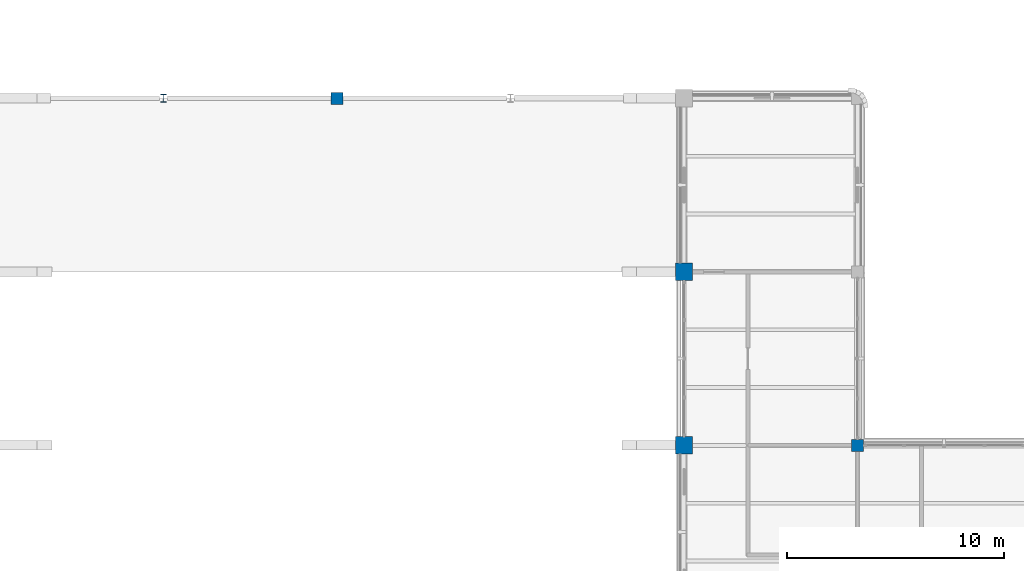
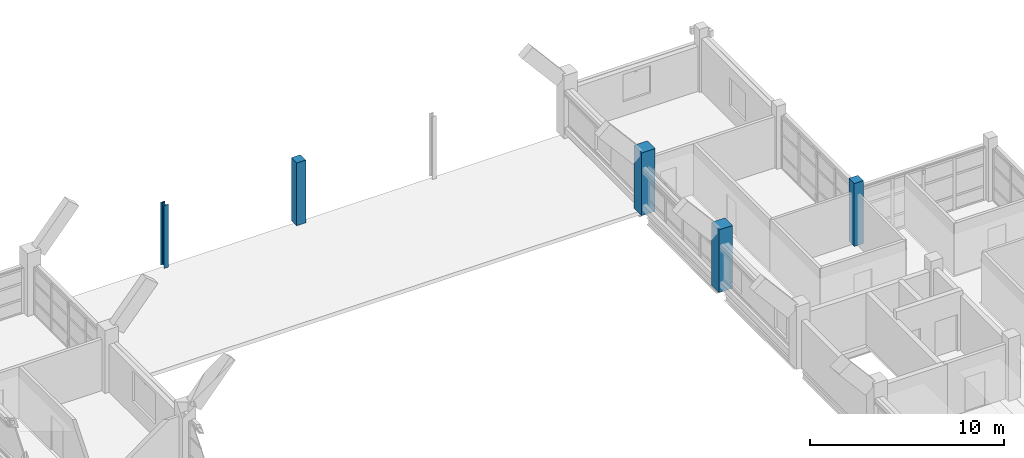
# One storey, part 4 of 92: 5 columns.
"""IFC4 building model written with IfcOpenShell, lengths in metres."""

import ifcopenshell
import ifcopenshell.guid

model = None  # the IFC model being written
_history = None  # IfcOwnerHistory: only IFC2X3 demands one
_inside = {}  # id of a spatial element -> (the spatial element, [elements in it])
_under = {}  # id of a project, library or spatial element -> (it, [spatial elements below it])
_declared = {}  # id of a project -> (the project, [libraries it declares])
_typed = {}  # id of a type object -> (the type object, [elements of that type])
_made_of = {}  # id of a material, layer set ... -> (it, [elements and type objects made of it])


def new_model(schema):
    """Start an empty IFC model of exactly this schema.

    Asked for "IFC4X3", IfcOpenShell would pick the latest addendum, in which some entities
    have other attributes; the version numbers below select the first issue.
    IFC2X3 requires an IfcOwnerHistory on every rooted entity: one is made here for all.
    """
    global model, _history
    if schema == "IFC4X3":
        model = ifcopenshell.file(schema_version=(4, 3, 0, 0))
    else:
        model = ifcopenshell.file(schema=schema)
    _inside.clear()
    _under.clear()
    _declared.clear()
    _typed.clear()
    _made_of.clear()
    _history = None
    if model.schema == "IFC2X3":
        org = make("IfcOrganization", Name="unknown")
        user = make(
            "IfcPersonAndOrganization",
            ThePerson=make("IfcPerson", FamilyName="unknown"),
            TheOrganization=org,
        )
        app = make(
            "IfcApplication",
            ApplicationDeveloper=org,
            Version="unknown",
            ApplicationFullName="unknown",
            ApplicationIdentifier="unknown",
        )
        _history = make(
            "IfcOwnerHistory",
            OwningUser=user,
            OwningApplication=app,
            ChangeAction="ADDED",
            CreationDate=0,
        )
    return model


def make(cls, **values):
    """One entity of the class cls with the attributes given. An attribute that is None is left unset."""
    return model.create_entity(
        cls, **{name: value for name, value in values.items() if value is not None}
    )


def rooted(cls, **values):
    """An entity with a GlobalId (a new one), such as an element, a storey or a relation."""
    return make(cls, GlobalId=ifcopenshell.guid.new(), OwnerHistory=_history, **values)


def si_unit(unit_type, name, prefix=None):
    """IfcSIUnit, for example si_unit("LENGTHUNIT", "METRE", prefix="MILLI")."""
    return make("IfcSIUnit", UnitType=unit_type, Prefix=prefix, Name=name)


def derived_unit(unit_type, elements):
    """IfcDerivedUnit: a product of units, each with its exponent."""
    return make(
        "IfcDerivedUnit",
        Elements=[
            make("IfcDerivedUnitElement", Unit=unit, Exponent=power)
            for unit, power in elements
        ],
        UnitType=unit_type,
    )


def assignment(units):
    """IfcUnitAssignment: the units of a project."""
    return None if units is None else make("IfcUnitAssignment", Units=units)


def point(xyz):
    """IfcCartesianPoint."""
    return None if xyz is None else make("IfcCartesianPoint", Coordinates=xyz)


def direction(xyz):
    """IfcDirection."""
    return None if xyz is None else make("IfcDirection", DirectionRatios=xyz)


def frame(location, z_axis=None, x_axis=None):
    """IfcAxis2Placement3D, a coordinate frame: its origin and axes. An axis left out is left unset."""
    return make(
        "IfcAxis2Placement3D",
        Location=point(location),
        Axis=direction(z_axis),
        RefDirection=direction(x_axis),
    )


def frame_2d(location, x_axis=None):
    """IfcAxis2Placement2D, a coordinate frame in the plane: its origin and x axis."""
    return make(
        "IfcAxis2Placement2D", Location=point(location), RefDirection=direction(x_axis)
    )


def origin():
    """The frame at (0, 0, 0) with its axes left unset."""
    return frame((0.0, 0.0, 0.0))


def origin_2d():
    """The frame at (0, 0) in the plane with its x axis left unset."""
    return frame_2d((0.0, 0.0))


def place(relative_to, where):
    """IfcLocalPlacement: puts the frame where relative to a parent placement (None: the world)."""
    return make(
        "IfcLocalPlacement", PlacementRelTo=relative_to, RelativePlacement=where
    )


def context(
    kind, dimensions, precision=None, world=None, true_north=None, identifier=None
):
    """IfcGeometricRepresentationContext, for example the 3D "Model" context."""
    return make(
        "IfcGeometricRepresentationContext",
        ContextIdentifier=identifier,
        ContextType=kind,
        CoordinateSpaceDimension=dimensions,
        Precision=precision,
        WorldCoordinateSystem=world,
        TrueNorth=true_north,
    )


def subcontext(parent, identifier, kind, view, scale=None):
    """IfcGeometricRepresentationSubContext, for example "Body" below "Model"."""
    return make(
        "IfcGeometricRepresentationSubContext",
        ContextIdentifier=identifier,
        ContextType=kind,
        ParentContext=parent,
        TargetScale=scale,
        TargetView=view,
    )


def project(units=None, contexts=None):
    """IfcProject with its units and contexts."""
    return rooted(
        "IfcProject",
        Name="project",
        RepresentationContexts=contexts,
        UnitsInContext=assignment(units),
    )


def spatial(cls, under=None, at=None, **own):
    """A site, building, storey or space (cls), placed at a placement, below another one or the project."""
    s = rooted(cls, ObjectPlacement=at, **own)
    if under is not None:
        _under.setdefault(under.id(), (under, []))[1].append(s)
    return s


def profile(cls, at=None, kind="AREA", **sizes):
    """A parametric profile (cls). Its sizes go by their IFC names, for example OverallWidth=200.0."""
    return make(cls, ProfileType=kind, Position=at, **sizes)


def rectangle(**sizes):
    """IfcRectangleProfileDef."""
    return profile("IfcRectangleProfileDef", **sizes)


def i_section(**sizes):
    """IfcIShapeProfileDef."""
    return profile("IfcIShapeProfileDef", **sizes)


def extrude(swept, where, along, depth):
    """IfcExtrudedAreaSolid: the profile swept, set in the frame where, extruded along a direction by depth."""
    return make(
        "IfcExtrudedAreaSolid",
        SweptArea=swept,
        Position=where,
        ExtrudedDirection=direction(along),
        Depth=depth,
    )


def shape(context_of_items, identifier, shape_type, items):
    """IfcShapeRepresentation: the items that make up one representation, for example the "Body"."""
    return make(
        "IfcShapeRepresentation",
        ContextOfItems=context_of_items,
        RepresentationIdentifier=identifier,
        RepresentationType=shape_type,
        Items=items,
    )


def material(Name=None, Category=None):
    """IfcMaterial."""
    return make("IfcMaterial", Name=Name, Category=Category)


def material_profile(
    of_material, cross_section, Name=None, Category=None, Priority=None
):
    """IfcMaterialProfile: a cross section and its material."""
    return make(
        "IfcMaterialProfile",
        Name=Name,
        Material=of_material,
        Profile=cross_section,
        Priority=Priority,
        Category=Category,
    )


def profile_set(profiles, Name=None, composite=None):
    """IfcMaterialProfileSet."""
    return make(
        "IfcMaterialProfileSet",
        Name=Name,
        MaterialProfiles=profiles,
        CompositeProfile=composite,
    )


def made_of(thing, what):
    """Note that an element or type object is made of a material, layer set ...; save() writes the relation."""
    if what is not None:
        _made_of.setdefault(what.id(), (what, []))[1].append(thing)
    return thing


def type_object(cls, material=None, **own):
    """A type object (cls), such as IfcWallType, which elements share."""
    return made_of(rooted(cls, **own), material)


def element(
    cls,
    number,
    at=None,
    inside=None,
    cuts=None,
    type_object=None,
    material=None,
    context=None,
    identifier="Body",
    shape_type=None,
    held_by="IfcProductDefinitionShape",
    body=None,
    shapes=None,
    **own,
):
    """One element of the class cls, such as IfcWall. Its Tag is "e" and its number.

    at: its placement. inside: the storey or other place that contains it. cuts: it is an
    opening in that element (IfcRelVoidsElement). A single representation is given by context,
    identifier, shape_type and body (its items); several are given by shapes. held_by: the class
    of the entity that holds the representations. save() writes the other relations.
    """
    e = rooted(cls, Tag="e%d" % number, ObjectPlacement=at, **own)
    if body is not None:
        shapes = [shape(context, identifier, shape_type, body)]
    if shapes is not None:
        e.Representation = make(held_by, Representations=shapes)
    if inside is not None:
        _inside.setdefault(inside.id(), (inside, []))[1].append(e)
    if cuts is not None:
        rooted(
            "IfcRelVoidsElement", RelatingBuildingElement=cuts, RelatedOpeningElement=e
        )
    if type_object is not None:
        _typed.setdefault(type_object.id(), (type_object, []))[1].append(e)
    return made_of(e, material)


def aggregate(whole, parts):
    """IfcRelAggregates: a whole, such as a stair, and the parts it consists of."""
    return rooted("IfcRelAggregates", RelatingObject=whole, RelatedObjects=parts)


def save(model, path):
    """Write the relations noted so far, then the file.

    IfcRelAggregates (storeys below a building ...), IfcRelContainedInSpatialStructure (elements
    in a storey), IfcRelDefinesByType, IfcRelAssociatesMaterial and IfcRelDeclares: one each for
    every whole, place, type object, material and project.
    """
    for whole, parts in _under.values():
        aggregate(whole, parts)
    for where, things in _inside.values():
        rooted(
            "IfcRelContainedInSpatialStructure",
            RelatedElements=things,
            RelatingStructure=where,
        )
    for kind, things in _typed.values():
        rooted("IfcRelDefinesByType", RelatedObjects=things, RelatingType=kind)
    for what, things in _made_of.values():
        rooted("IfcRelAssociatesMaterial", RelatedObjects=things, RelatingMaterial=what)
    for by, libraries in _declared.values():
        rooted("IfcRelDeclares", RelatingContext=by, RelatedDefinitions=libraries)
    model.write(path)


model = new_model("IFC4")

# Units and contexts
model_context = context("Model", 3, precision=1e-05, world=origin(), true_north=direction((0.0, 1.0)))
body_context = subcontext(model_context, "Body", "Model", "MODEL_VIEW")
ifc_project = project(units=[si_unit("LENGTHUNIT", "METRE"), si_unit("AREAUNIT", "SQUARE_METRE"), si_unit("VOLUMEUNIT", "CUBIC_METRE"), si_unit("PLANEANGLEUNIT", "RADIAN"), si_unit("MASSUNIT", "GRAM", prefix="KILO"), derived_unit("THERMALTRANSMITTANCEUNIT", [(si_unit("MASSUNIT", "GRAM", prefix="KILO"), 1), (si_unit("TIMEUNIT", "SECOND"), -3), (si_unit("THERMODYNAMICTEMPERATUREUNIT", "KELVIN"), -1)])], contexts=[model_context])

# Site, building, storey
site_placement = place(None, origin())
site = spatial("IfcSite", under=ifc_project, at=site_placement, CompositionType="ELEMENT")
building_placement = place(site_placement, origin())
building = spatial("IfcBuilding", under=site, at=building_placement, Name="Veyamyaing Civic Hall", CompositionType="ELEMENT")
storey_placement = place(building_placement, frame((0.0, 0.0, 17.820068359375)))
storey = spatial("IfcBuildingStorey", under=building, at=storey_placement, Name="L04", CompositionType="ELEMENT", Elevation=17.820068359375)

# Columns
ifc_material_1 = material(Name="Concrete C45/55", Category="concrete")
ifc_material_profile_1 = material_profile(ifc_material_1, rectangle(XDim=0.800048828125, YDim=0.800048828125, at=origin_2d()), Name="RC-COL-800X800")
ifc_profile_set_1 = profile_set([ifc_material_profile_1], Name="Concrete C45/55")
column_type_1 = type_object("IfcColumnType", Name="C-02", PredefinedType="COLUMN", material=ifc_profile_set_1)
for number, where, z_axis, x_axis, name in (
    (1, (104.0, 64.0, 0.0), (0.0, 0.0, 1.0), (1.0, 0.0, 0.0), "Column C-02 14-J L04"),
    (2, (104.0, 72.0, 0.0), (0.0, 0.0, 1.0), (1.0, 0.0, 0.0), "Column C-02 14-K L04"),
):
    element("IfcColumn", number, at=place(storey_placement, frame(where, z_axis=z_axis, x_axis=x_axis)), inside=storey, type_object=column_type_1, Name=name, PredefinedType="COLUMN", context=body_context, shape_type="SweptSolid", body=[
        extrude(rectangle(XDim=0.800048828125, YDim=0.800048828125, at=origin_2d()), origin(), (0.0, 0.0, 1.0), 3.9599609375),
    ])
ifc_material_profile_2 = material_profile(ifc_material_1, rectangle(XDim=0.550048828125, YDim=0.550048828125, at=origin_2d()), Name="RC-COL-550X550")
ifc_profile_set_2 = profile_set([ifc_material_profile_2], Name="Concrete C45/55")
column_type_2 = type_object("IfcColumnType", Name="C-07", PredefinedType="COLUMN", material=ifc_profile_set_2)
for number, where, z_axis, x_axis, name in (
    (3, (88.0, 80.0, 0.0), (0.0, 0.0, 1.0), (1.0, 0.0, 0.0), "Column C-07 12-L L04"),
    (4, (112.0, 64.0, 0.0), (0.0, 0.0, 1.0), (1.0, 0.0, 0.0), "Column C-07 15-J L04"),
):
    element("IfcColumn", number, at=place(storey_placement, frame(where, z_axis=z_axis, x_axis=x_axis)), inside=storey, type_object=column_type_2, Name=name, PredefinedType="COLUMN", context=body_context, shape_type="SweptSolid", body=[
        extrude(rectangle(XDim=0.550048828125, YDim=0.550048828125, at=origin_2d()), origin(), (0.0, 0.0, 1.0), 3.9599609375),
    ])
ifc_material_2 = material(Name="Steel S355J2", Category="steel")
ifc_material_profile_3 = material_profile(ifc_material_2, i_section(OverallWidth=0.256103515625, OverallDepth=0.360107421875, WebThickness=0.011474609375, FlangeThickness=0.02001953125, FilletRadius=0.011962890625, at=origin_2d()), Name="W360X110")
ifc_profile_set_3 = profile_set([ifc_material_profile_3], Name="Steel S355J2")
column_type_3 = type_object("IfcColumnType", Name="C-17", PredefinedType="COLUMN", material=ifc_profile_set_3)
column_placement = place(storey_placement, frame((80.0, 80.0, 0.0), z_axis=(0.0, 0.0, 1.0), x_axis=(1.0, 0.0, 0.0)))
element("IfcColumn", 5, at=column_placement, inside=storey, type_object=column_type_3, Name="Column C-17 11-L L04", PredefinedType="COLUMN", context=body_context, shape_type="SweptSolid", body=[
    extrude(i_section(OverallWidth=0.256103515625, OverallDepth=0.360107421875, WebThickness=0.011474609375, FlangeThickness=0.02001953125, FilletRadius=0.011962890625, at=origin_2d()), origin(), (0.0, 0.0, 1.0), 3.9599609375),
])

save(model, "model.ifc")
